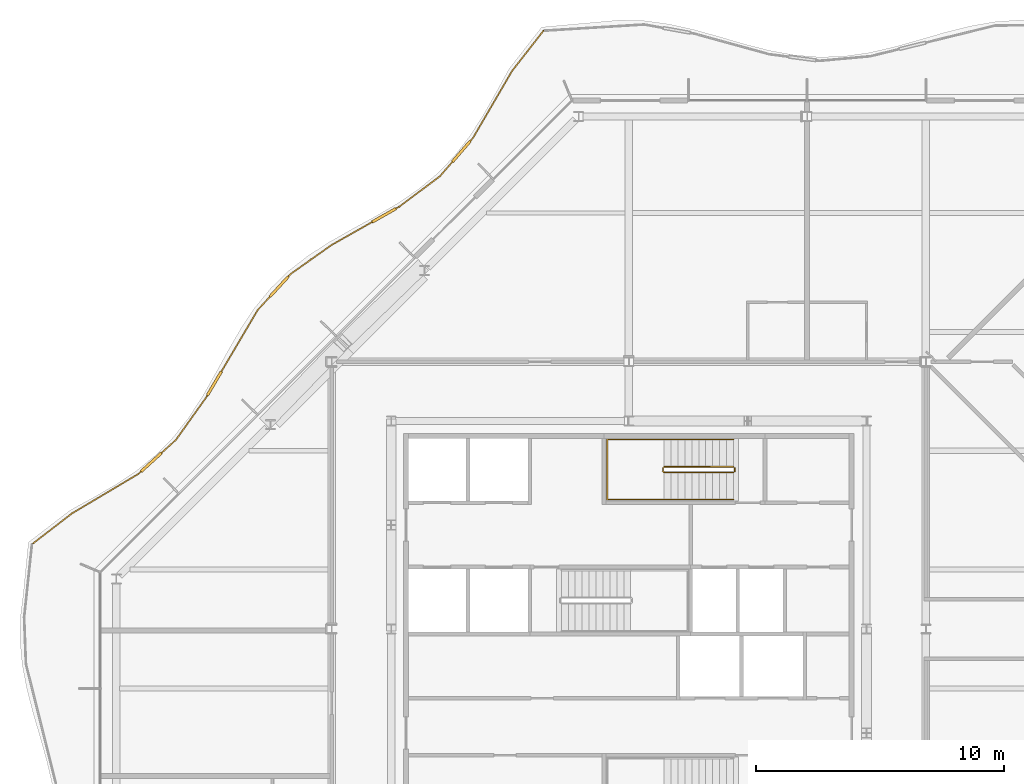
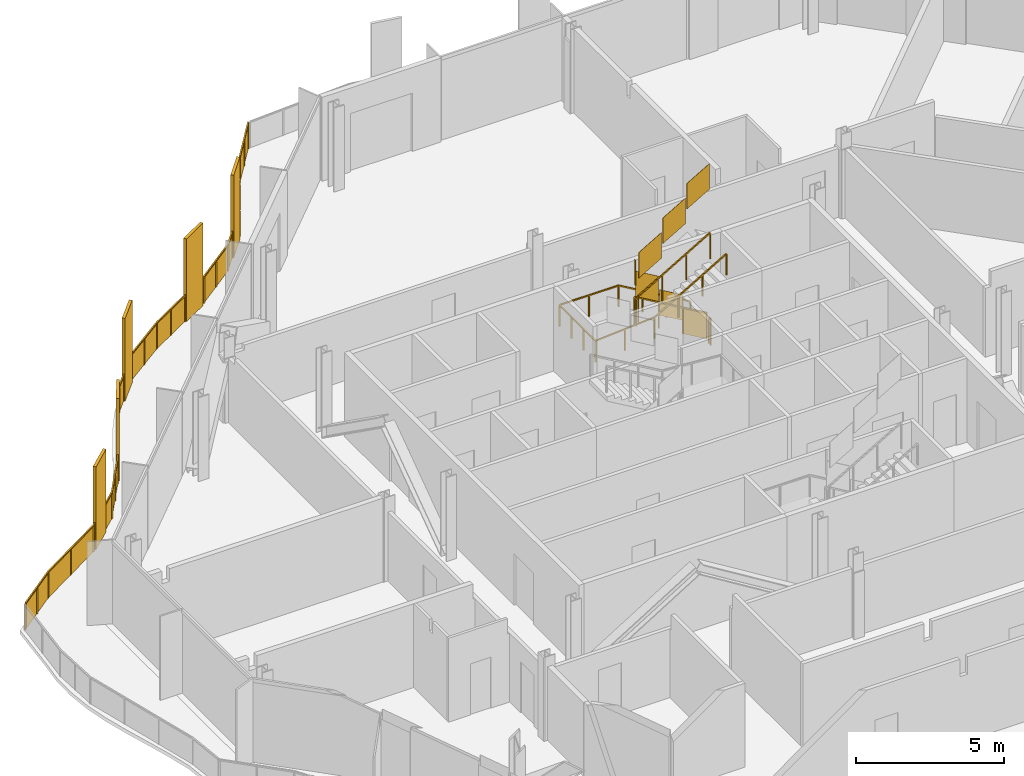
# One storey, part 16 of 17: 4 railings.
"""IFC4 building model written with IfcOpenShell, lengths in metres."""

from ifc_helpers import new_model, si_unit, direction, frame, origin, origin_2d, place, context, subcontext, project, spatial, polyline, rectangle, outline, extrude, material, type_object, element, save


model = new_model("IFC4")

# Units and contexts
model_context = context("Model", 3, precision=1e-05, world=origin(), true_north=direction((0.0, 1.0)))
body_context = subcontext(model_context, "Body", "Model", "MODEL_VIEW")
ifc_project = project(units=[si_unit("LENGTHUNIT", "METRE"), si_unit("AREAUNIT", "SQUARE_METRE"), si_unit("VOLUMEUNIT", "CUBIC_METRE"), si_unit("PLANEANGLEUNIT", "RADIAN"), si_unit("MASSUNIT", "GRAM", prefix="KILO")], contexts=[model_context])

# Site, building, storey
site_placement = place(None, origin())
site = spatial("IfcSite", under=ifc_project, at=site_placement, CompositionType="ELEMENT")
building_placement = place(site_placement, origin())
building = spatial("IfcBuilding", under=site, at=building_placement, Name="Cairn Pilgrim Tower", CompositionType="ELEMENT")
storey_placement = place(building_placement, frame((0.0, 0.0, 250.199951171875)))
storey = spatial("IfcBuildingStorey", under=building, at=storey_placement, Name="L64", CompositionType="ELEMENT", Elevation=250.199951171875)

# Railings
ifc_material_1 = material(Name="Bronze anodised aluminium rail, posts and fin screens with laminated glass infill", Category="aluminium")
railing_type_1 = type_object("IfcRailingType", Name="BALCONY GUARD WITH FIN SCREENS", PredefinedType="GUARDRAIL", material=ifc_material_1)
railing_1_placement = place(storey_placement, frame((3.7529296875, 26.5673828125, 0.0)))
element("IfcRailing", 1, at=railing_1_placement, inside=storey, type_object=railing_type_1, Name="Balcony guard BGF-5 with fin screens", PredefinedType="GUARDRAIL", context=body_context, shape_type="SweptSolid", body=[
    extrude(rectangle(XDim=0.050048828125, YDim=0.050048828125, at=origin_2d()), frame((0.0, 0.0, 1.0751953125), z_axis=(-0.615247590899, -0.788333940594, 0.0), x_axis=(0.788333940594, -0.615247590899, 0.0)), (0.0, 0.0, 1.0), 2.06787109375),
    extrude(rectangle(XDim=0.050048828125, YDim=0.050048828125, at=origin_2d()), frame((-1.272216796875, -1.630126953125, 1.0751953125), z_axis=(-0.503754385339, -0.863846930452, 0.0), x_axis=(0.863846930452, -0.503754385339, 0.0)), (0.0, 0.0, 1.0), 3.12353515625),
    extrude(rectangle(XDim=1.10009765625, YDim=0.110107421875, at=origin_2d()), frame((-3.319091796875, -4.877685546875, 0.0), z_axis=(0.0, 0.0, 1.0), x_axis=(-0.652871199142, -0.757468941496, 0.0)), (0.0, 0.0, 1.0), 3.39990234375),
    extrude(rectangle(XDim=0.050048828125, YDim=0.050048828125, at=origin_2d()), frame((-2.845703125, -4.328369140625, 1.0751953125), z_axis=(-0.652871199142, -0.757468941496, 0.0), x_axis=(0.757468941496, -0.652871199142, 0.0)), (0.0, 0.0, 1.0), 0.175048828125),
    extrude(rectangle(XDim=0.050048828125, YDim=0.050048828125, at=origin_2d()), frame((-3.67822265625, -5.294189453125, 1.0751953125), z_axis=(-0.652871199142, -0.757468941496, 0.0), x_axis=(0.757468941496, -0.652871199142, 0.0)), (0.0, 0.0, 1.0), 0.771728515625),
    extrude(rectangle(XDim=0.050048828125, YDim=0.050048828125, at=origin_2d()), frame((-4.18212890625, -5.87890625, 1.0751953125), z_axis=(-0.801009467995, -0.598651678509, 0.0), x_axis=(0.598651678509, -0.801009467995, 0.0)), (0.0, 0.0, 1.0), 2.058349609375),
    extrude(rectangle(XDim=1.10009765625, YDim=0.110107421875, at=origin_2d()), frame((-6.43994140625, -7.455810546875, 0.0), z_axis=(0.0, 0.0, 1.0), x_axis=(-0.870288371467, -0.492542536731, 0.0)), (0.0, 0.0, 1.0), 3.39990234375),
    extrude(rectangle(XDim=0.050048828125, YDim=0.050048828125, at=origin_2d()), frame((-5.830810546875, -7.111083984375, 1.0751953125), z_axis=(-0.870288371467, -0.492542536731, 0.0), x_axis=(0.492542536731, -0.870288371467, 0.0)), (0.0, 0.0, 1.0), 0.14990234375),
    extrude(rectangle(XDim=0.050048828125, YDim=0.050048828125, at=origin_2d()), frame((-6.918701171875, -7.726806640625, 1.0751953125), z_axis=(-0.870288371467, -0.492542536731, 0.0), x_axis=(0.492542536731, -0.870288371467, 0.0)), (0.0, 0.0, 1.0), 1.882568359375),
    extrude(rectangle(XDim=0.050048828125, YDim=0.050048828125, at=origin_2d()), frame((-8.55712890625, -8.654052734375, 1.0751953125), z_axis=(-0.816212373943, -0.577751988852, 0.0), x_axis=(0.577751988852, -0.816212373943, 0.0)), (0.0, 0.0, 1.0), 2.016845703125),
    extrude(rectangle(XDim=1.10009765625, YDim=0.110107421875, at=origin_2d()), frame((-10.676513671875, -10.335205078125, 0.0), z_axis=(0.0, 0.0, 1.0), x_axis=(-0.675825052725, -0.737062072087, 0.0)), (0.0, 0.0, 1.0), 3.39990234375),
    extrude(rectangle(XDim=0.050048828125, YDim=0.050048828125, at=origin_2d()), frame((-10.203369140625, -9.8193359375, 1.0751953125), z_axis=(-0.675825052725, -0.737062072087, 0.0), x_axis=(0.737062072087, -0.675825052725, 0.0)), (0.0, 0.0, 1.0), 0.150146484375),
    extrude(rectangle(XDim=0.050048828125, YDim=0.050048828125, at=origin_2d()), frame((-11.048095703125, -10.74072265625, 1.0751953125), z_axis=(-0.675825052725, -0.737062072087, 0.0), x_axis=(0.737062072087, -0.675825052725, 0.0)), (0.0, 0.0, 1.0), 0.7314453125),
    extrude(rectangle(XDim=1.10009765625, YDim=0.110107421875, at=origin_2d()), frame((-13.293701171875, -14.24609375, 0.0), z_axis=(0.0, 0.0, 1.0), x_axis=(-0.508401829525, -0.861119956647, 0.0)), (0.0, 0.0, 1.0), 3.39990234375),
    extrude(rectangle(XDim=0.050048828125, YDim=0.050048828125, at=origin_2d()), frame((-11.54248046875, -11.27978515625, 1.0751953125), z_axis=(-0.508401829525, -0.861119956647, 0.0), x_axis=(0.861119956647, -0.508401829525, 0.0)), (0.0, 0.0, 1.0), 2.894775390625),
    extrude(rectangle(XDim=0.050048828125, YDim=0.050048828125, at=origin_2d()), frame((-13.573486328125, -14.7197265625, 1.0751953125), z_axis=(-0.508401829525, -0.861119956647, 0.0), x_axis=(0.861119956647, -0.508401829525, 0.0)), (0.0, 0.0, 1.0), 0.14990234375),
    extrude(rectangle(XDim=0.050048828125, YDim=0.050048828125, at=origin_2d()), frame((-13.649658203125, -14.848876953125, 1.0751953125), z_axis=(-0.581058957982, -0.813861466927, 0.0), x_axis=(0.813861466927, -0.581058957982, 0.0)), (0.0, 0.0, 1.0), 2.061767578125),
    extrude(rectangle(XDim=1.10009765625, YDim=0.110107421875, at=origin_2d()), frame((-15.843505859375, -17.430908203125, 0.0), z_axis=(0.0, 0.0, 1.0), x_axis=(-0.740372121934, -0.672197233751, 0.0)), (0.0, 0.0, 1.0), 3.39990234375),
    extrude(rectangle(XDim=0.050048828125, YDim=0.050048828125, at=origin_2d()), frame((-14.84765625, -16.52685546875, 1.0751953125), z_axis=(-0.740372121934, -0.672197233751, 0.0), x_axis=(0.672197233751, -0.740372121934, 0.0)), (0.0, 0.0, 1.0), 0.794921875),
    extrude(rectangle(XDim=0.050048828125, YDim=0.050048828125, at=origin_2d()), frame((-16.25048828125, -17.800537109375, 1.0751953125), z_axis=(-0.740372121934, -0.672197233751, 0.0), x_axis=(0.672197233751, -0.740372121934, 0.0)), (0.0, 0.0, 1.0), 0.14990234375),
    extrude(rectangle(XDim=0.050048828125, YDim=0.050048828125, at=origin_2d()), frame((-16.361572265625, -17.9013671875, 1.0751953125), z_axis=(-0.859455025905, -0.511211363769, 0.0), x_axis=(0.511211363769, -0.859455025905, 0.0)), (0.0, 0.0, 1.0), 3.119140625),
    extrude(rectangle(XDim=0.050048828125, YDim=0.050048828125, at=origin_2d()), frame((-19.042236328125, -19.495849609375, 1.0751953125), z_axis=(-0.792386852643, -0.610018914262, 0.0), x_axis=(0.610018914262, -0.792386852643, 0.0)), (0.0, 0.0, 1.0), 1.99072265625),
    extrude(rectangle(XDim=0.050048828125, YDim=0.050048828125, at=origin_2d()), origin(), (0.0, 0.0, 1.0), 1.050048828125),
    extrude(rectangle(XDim=0.050048828125, YDim=0.050048828125, at=origin_2d()), frame((-0.63623046875, -0.815185546875, 0.0)), (0.0, 0.0, 1.0), 1.050048828125),
    extrude(rectangle(XDim=0.050048828125, YDim=0.050048828125, at=origin_2d()), frame((-1.272216796875, -1.630126953125, 0.0)), (0.0, 0.0, 1.0), 1.050048828125),
    extrude(rectangle(XDim=0.050048828125, YDim=0.050048828125, at=origin_2d()), frame((-2.05908203125, -2.979248046875, 0.0)), (0.0, 0.0, 1.0), 1.050048828125),
    extrude(rectangle(XDim=0.050048828125, YDim=0.050048828125, at=origin_2d()), frame((-2.845703125, -4.328369140625, 0.0)), (0.0, 0.0, 1.0), 1.050048828125),
    extrude(rectangle(XDim=0.050048828125, YDim=0.050048828125, at=origin_2d()), frame((-2.94384765625, -4.442138671875, 0.0)), (0.0, 0.0, 1.0), 1.050048828125),
    extrude(rectangle(XDim=0.050048828125, YDim=0.050048828125, at=origin_2d()), frame((-3.694580078125, -5.313232421875, 0.0)), (0.0, 0.0, 1.0), 1.050048828125),
    extrude(rectangle(XDim=0.050048828125, YDim=0.050048828125, at=origin_2d()), frame((-4.18212890625, -5.87890625, 0.0)), (0.0, 0.0, 1.0), 1.050048828125),
    extrude(rectangle(XDim=0.050048828125, YDim=0.050048828125, at=origin_2d()), frame((-5.00634765625, -6.4951171875, 0.0)), (0.0, 0.0, 1.0), 1.050048828125),
    extrude(rectangle(XDim=0.050048828125, YDim=0.050048828125, at=origin_2d()), frame((-5.830810546875, -7.111083984375, 0.0)), (0.0, 0.0, 1.0), 1.050048828125),
    extrude(rectangle(XDim=0.050048828125, YDim=0.050048828125, at=origin_2d()), frame((-5.939697265625, -7.172607421875, 0.0)), (0.0, 0.0, 1.0), 1.050048828125),
    extrude(rectangle(XDim=0.050048828125, YDim=0.050048828125, at=origin_2d()), frame((-6.9404296875, -7.739013671875, 0.0)), (0.0, 0.0, 1.0), 1.050048828125),
    extrude(rectangle(XDim=0.050048828125, YDim=0.050048828125, at=origin_2d()), frame((-7.748779296875, -8.196533203125, 0.0)), (0.0, 0.0, 1.0), 1.050048828125),
    extrude(rectangle(XDim=0.050048828125, YDim=0.050048828125, at=origin_2d()), frame((-8.55712890625, -8.654052734375, 0.0)), (0.0, 0.0, 1.0), 1.050048828125),
    extrude(rectangle(XDim=0.050048828125, YDim=0.050048828125, at=origin_2d()), frame((-9.38037109375, -9.23681640625, 0.0)), (0.0, 0.0, 1.0), 1.050048828125),
    extrude(rectangle(XDim=0.050048828125, YDim=0.050048828125, at=origin_2d()), frame((-10.203369140625, -9.8193359375, 0.0)), (0.0, 0.0, 1.0), 1.050048828125),
    extrude(rectangle(XDim=0.050048828125, YDim=0.050048828125, at=origin_2d()), frame((-10.287841796875, -9.911376953125, 0.0)), (0.0, 0.0, 1.0), 1.050048828125),
    extrude(rectangle(XDim=0.050048828125, YDim=0.050048828125, at=origin_2d()), frame((-11.065185546875, -10.759033203125, 0.0)), (0.0, 0.0, 1.0), 1.050048828125),
    extrude(rectangle(XDim=0.050048828125, YDim=0.050048828125, at=origin_2d()), frame((-11.54248046875, -11.27978515625, 0.0)), (0.0, 0.0, 1.0), 1.050048828125),
    extrude(rectangle(XDim=0.050048828125, YDim=0.050048828125, at=origin_2d()), frame((-12.27197265625, -12.515380859375, 0.0)), (0.0, 0.0, 1.0), 1.050048828125),
    extrude(rectangle(XDim=0.050048828125, YDim=0.050048828125, at=origin_2d()), frame((-13.00146484375, -13.7509765625, 0.0)), (0.0, 0.0, 1.0), 1.050048828125),
    extrude(rectangle(XDim=0.050048828125, YDim=0.050048828125, at=origin_2d()), frame((-13.586181640625, -14.7412109375, 0.0)), (0.0, 0.0, 1.0), 1.050048828125),
    extrude(rectangle(XDim=0.050048828125, YDim=0.050048828125, at=origin_2d()), frame((-13.649658203125, -14.848876953125, 0.0)), (0.0, 0.0, 1.0), 1.050048828125),
    extrude(rectangle(XDim=0.050048828125, YDim=0.050048828125, at=origin_2d()), frame((-14.24853515625, -15.68798828125, 0.0)), (0.0, 0.0, 1.0), 1.050048828125),
    extrude(rectangle(XDim=0.050048828125, YDim=0.050048828125, at=origin_2d()), frame((-14.84765625, -16.52685546875, 0.0)), (0.0, 0.0, 1.0), 1.050048828125),
    extrude(rectangle(XDim=0.050048828125, YDim=0.050048828125, at=origin_2d()), frame((-15.417724609375, -17.04443359375, 0.0)), (0.0, 0.0, 1.0), 1.050048828125),
    extrude(rectangle(XDim=0.050048828125, YDim=0.050048828125, at=origin_2d()), frame((-16.26904296875, -17.8173828125, 0.0)), (0.0, 0.0, 1.0), 1.050048828125),
    extrude(rectangle(XDim=0.050048828125, YDim=0.050048828125, at=origin_2d()), frame((-16.361572265625, -17.9013671875, 0.0)), (0.0, 0.0, 1.0), 1.050048828125),
    extrude(rectangle(XDim=0.050048828125, YDim=0.050048828125, at=origin_2d()), frame((-17.701904296875, -18.69873046875, 0.0)), (0.0, 0.0, 1.0), 1.050048828125),
    extrude(rectangle(XDim=0.050048828125, YDim=0.050048828125, at=origin_2d()), frame((-19.042236328125, -19.495849609375, 0.0)), (0.0, 0.0, 1.0), 1.050048828125),
    extrude(rectangle(XDim=0.050048828125, YDim=0.050048828125, at=origin_2d()), frame((-19.8310546875, -20.10302734375, 0.0)), (0.0, 0.0, 1.0), 1.050048828125),
    extrude(rectangle(XDim=0.050048828125, YDim=0.050048828125, at=origin_2d()), frame((-20.61962890625, -20.710205078125, 0.0)), (0.0, 0.0, 1.0), 1.050048828125),
    extrude(outline(polyline([(0.02490234375, 0.0), (1.0087890625, 0.0), (1.0087890625, 1.050048828125), (0.02490234375, 1.050048828125), (0.02490234375, 0.0)])), frame((0.004638671875, -0.003662109375, 0.0), z_axis=(-0.788333940594, 0.615247590899, 0.0), x_axis=(-0.615247590899, -0.788333940594, 0.0)), (0.0, 0.0, 1.0), 0.011962890625),
    extrude(outline(polyline([(0.02490234375, 0.0), (1.0087890625, 0.0), (1.0087890625, 1.050048828125), (0.02490234375, 1.050048828125), (0.02490234375, 0.0)])), frame((-0.63134765625, -0.81884765625, 0.0), z_axis=(-0.788333940594, 0.615247590899, 0.0), x_axis=(-0.615247590899, -0.788333940594, 0.0)), (0.0, 0.0, 1.0), 0.011962890625),
    extrude(outline(polyline([(0.02490234375, 0.0), (1.53662109375, 0.0), (1.53662109375, 1.050048828125), (0.02490234375, 1.050048828125), (0.02490234375, 0.0)])), frame((-1.26708984375, -1.633056640625, 0.0), z_axis=(-0.863846930452, 0.503754385339, 0.0), x_axis=(-0.503754385339, -0.863846930452, 0.0)), (0.0, 0.0, 1.0), 0.011962890625),
    extrude(outline(polyline([(0.02490234375, 0.0), (1.53662109375, 0.0), (1.53662109375, 1.050048828125), (0.02490234375, 1.050048828125), (0.02490234375, 0.0)])), frame((-2.0537109375, -2.982177734375, 0.0), z_axis=(-0.863846930452, 0.503754385339, 0.0), x_axis=(-0.503754385339, -0.863846930452, 0.0)), (0.0, 0.0, 1.0), 0.011962890625),
    extrude(outline(polyline([(0.02490234375, 0.0), (0.125, 0.0), (0.125, 1.050048828125), (0.02490234375, 1.050048828125), (0.02490234375, 0.0)])), frame((-2.841064453125, -4.332275390625, 0.0), z_axis=(-0.757468941496, 0.652871199142, 0.0), x_axis=(-0.652871199142, -0.757468941496, 0.0)), (0.0, 0.0, 1.0), 0.011962890625),
    extrude(outline(polyline([(0.02490234375, 0.0), (0.7216796875, 0.0), (0.7216796875, 1.050048828125), (0.02490234375, 1.050048828125), (0.02490234375, 0.0)])), frame((-3.68994140625, -5.317138671875, 0.0), z_axis=(-0.757468941496, 0.652871199142, 0.0), x_axis=(-0.652871199142, -0.757468941496, 0.0)), (0.0, 0.0, 1.0), 0.011962890625),
    extrude(outline(polyline([(0.02490234375, 0.0), (1.004150390625, 0.0), (1.004150390625, 1.050048828125), (0.02490234375, 1.050048828125), (0.02490234375, 0.0)])), frame((-4.178466796875, -5.8837890625, 0.0), z_axis=(-0.598651678509, 0.801009467995, 0.0), x_axis=(-0.801009467995, -0.598651678509, 0.0)), (0.0, 0.0, 1.0), 0.011962890625),
    extrude(outline(polyline([(0.02490234375, 0.0), (1.004150390625, 0.0), (1.004150390625, 1.050048828125), (0.02490234375, 1.050048828125), (0.02490234375, 0.0)])), frame((-5.0029296875, -6.499755859375, 0.0), z_axis=(-0.598651678509, 0.801009467995, 0.0), x_axis=(-0.801009467995, -0.598651678509, 0.0)), (0.0, 0.0, 1.0), 0.011962890625),
    extrude(outline(polyline([(0.02490234375, 0.0), (0.099853515625, 0.0), (0.099853515625, 1.050048828125), (0.02490234375, 1.050048828125), (0.02490234375, 0.0)])), frame((-5.827880859375, -7.1162109375, 0.0), z_axis=(-0.492542536731, 0.870288371467, 0.0), x_axis=(-0.870288371467, -0.492542536731, 0.0)), (0.0, 0.0, 1.0), 0.011962890625),
    extrude(outline(polyline([(0.02490234375, 0.0), (0.90380859375, 0.0), (0.90380859375, 1.050048828125), (0.02490234375, 1.050048828125), (0.02490234375, 0.0)])), frame((-6.9375, -7.744384765625, 0.0), z_axis=(-0.492542536731, 0.870288371467, 0.0), x_axis=(-0.870288371467, -0.492542536731, 0.0)), (0.0, 0.0, 1.0), 0.011962890625),
    extrude(outline(polyline([(0.02490234375, 0.0), (0.90380859375, 0.0), (0.90380859375, 1.050048828125), (0.02490234375, 1.050048828125), (0.02490234375, 0.0)])), frame((-7.745849609375, -8.20166015625, 0.0), z_axis=(-0.492542536731, 0.870288371467, 0.0), x_axis=(-0.870288371467, -0.492542536731, 0.0)), (0.0, 0.0, 1.0), 0.011962890625),
    extrude(outline(polyline([(0.02490234375, 0.0), (0.9833984375, 0.0), (0.9833984375, 1.050048828125), (0.02490234375, 1.050048828125), (0.02490234375, 0.0)])), frame((-8.5537109375, -8.658935546875, 0.0), z_axis=(-0.577751988852, 0.816212373943, 0.0), x_axis=(-0.816212373943, -0.577751988852, 0.0)), (0.0, 0.0, 1.0), 0.011962890625),
    extrude(outline(polyline([(0.02490234375, 0.0), (0.9833984375, 0.0), (0.9833984375, 1.050048828125), (0.02490234375, 1.050048828125), (0.02490234375, 0.0)])), frame((-9.376708984375, -9.241455078125, 0.0), z_axis=(-0.577751988852, 0.816212373943, 0.0), x_axis=(-0.816212373943, -0.577751988852, 0.0)), (0.0, 0.0, 1.0), 0.011962890625),
    extrude(outline(polyline([(0.02490234375, 0.0), (0.10009765625, 0.0), (0.10009765625, 1.050048828125), (0.02490234375, 1.050048828125), (0.02490234375, 0.0)])), frame((-10.198974609375, -9.823486328125, 0.0), z_axis=(-0.737062072087, 0.675825052725, 0.0), x_axis=(-0.675825052725, -0.737062072087, 0.0)), (0.0, 0.0, 1.0), 0.011962890625),
    extrude(outline(polyline([(0.02490234375, 0.0), (0.681396484375, 0.0), (0.681396484375, 1.050048828125), (0.02490234375, 1.050048828125), (0.02490234375, 0.0)])), frame((-11.060791015625, -10.76318359375, 0.0), z_axis=(-0.737062072087, 0.675825052725, 0.0), x_axis=(-0.675825052725, -0.737062072087, 0.0)), (0.0, 0.0, 1.0), 0.011962890625),
    extrude(outline(polyline([(0.02490234375, 0.0), (1.409912109375, 0.0), (1.409912109375, 1.050048828125), (0.02490234375, 1.050048828125), (0.02490234375, 0.0)])), frame((-11.537353515625, -11.28271484375, 0.0), z_axis=(-0.861119956647, 0.508401829525, 0.0), x_axis=(-0.508401829525, -0.861119956647, 0.0)), (0.0, 0.0, 1.0), 0.011962890625),
    extrude(outline(polyline([(0.02490234375, 0.0), (1.409912109375, 0.0), (1.409912109375, 1.050048828125), (0.02490234375, 1.050048828125), (0.02490234375, 0.0)])), frame((-12.266845703125, -12.518310546875, 0.0), z_axis=(-0.861119956647, 0.508401829525, 0.0), x_axis=(-0.508401829525, -0.861119956647, 0.0)), (0.0, 0.0, 1.0), 0.011962890625),
    extrude(outline(polyline([(0.02490234375, 0.0), (0.099853515625, 0.0), (0.099853515625, 1.050048828125), (0.02490234375, 1.050048828125), (0.02490234375, 0.0)])), frame((-13.5810546875, -14.744384765625, 0.0), z_axis=(-0.861119956647, 0.508401829525, 0.0), x_axis=(-0.508401829525, -0.861119956647, 0.0)), (0.0, 0.0, 1.0), 0.011962890625),
    extrude(outline(polyline([(0.02490234375, 0.0), (1.005859375, 0.0), (1.005859375, 1.050048828125), (0.02490234375, 1.050048828125), (0.02490234375, 0.0)])), frame((-13.644775390625, -14.852294921875, 0.0), z_axis=(-0.813861466927, 0.581058957982, 0.0), x_axis=(-0.581058957982, -0.813861466927, 0.0)), (0.0, 0.0, 1.0), 0.011962890625),
    extrude(outline(polyline([(0.02490234375, 0.0), (1.005859375, 0.0), (1.005859375, 1.050048828125), (0.02490234375, 1.050048828125), (0.02490234375, 0.0)])), frame((-14.243896484375, -15.69140625, 0.0), z_axis=(-0.813861466927, 0.581058957982, 0.0), x_axis=(-0.581058957982, -0.813861466927, 0.0)), (0.0, 0.0, 1.0), 0.011962890625),
    extrude(outline(polyline([(0.02490234375, 0.0), (0.744873046875, 0.0), (0.744873046875, 1.050048828125), (0.02490234375, 1.050048828125), (0.02490234375, 0.0)])), frame((-14.84375, -16.53125, 0.0), z_axis=(-0.672197233751, 0.740372121934, 0.0), x_axis=(-0.740372121934, -0.672197233751, 0.0)), (0.0, 0.0, 1.0), 0.011962890625),
    extrude(outline(polyline([(0.02490234375, 0.0), (0.099853515625, 0.0), (0.099853515625, 1.050048828125), (0.02490234375, 1.050048828125), (0.02490234375, 0.0)])), frame((-16.26513671875, -17.82177734375, 0.0), z_axis=(-0.672197233751, 0.740372121934, 0.0), x_axis=(-0.740372121934, -0.672197233751, 0.0)), (0.0, 0.0, 1.0), 0.011962890625),
    extrude(outline(polyline([(0.02490234375, 0.0), (1.534423828125, 0.0), (1.534423828125, 1.050048828125), (0.02490234375, 1.050048828125), (0.02490234375, 0.0)])), frame((-16.3583984375, -17.906494140625, 0.0), z_axis=(-0.511211363769, 0.859455025905, 0.0), x_axis=(-0.859455025905, -0.511211363769, 0.0)), (0.0, 0.0, 1.0), 0.011962890625),
    extrude(outline(polyline([(0.02490234375, 0.0), (1.534423828125, 0.0), (1.534423828125, 1.050048828125), (0.02490234375, 1.050048828125), (0.02490234375, 0.0)])), frame((-17.69873046875, -18.703857421875, 0.0), z_axis=(-0.511211363769, 0.859455025905, 0.0), x_axis=(-0.859455025905, -0.511211363769, 0.0)), (0.0, 0.0, 1.0), 0.011962890625),
    extrude(outline(polyline([(0.02490234375, 0.0), (0.97021484375, 0.0), (0.97021484375, 1.050048828125), (0.02490234375, 1.050048828125), (0.02490234375, 0.0)])), frame((-19.03857421875, -19.50048828125, 0.0), z_axis=(-0.610018914262, 0.792386852643, 0.0), x_axis=(-0.792386852643, -0.610018914262, 0.0)), (0.0, 0.0, 1.0), 0.011962890625),
    extrude(outline(polyline([(0.02490234375, 0.0), (0.97021484375, 0.0), (0.97021484375, 1.050048828125), (0.02490234375, 1.050048828125), (0.02490234375, 0.0)])), frame((-19.827392578125, -20.107666015625, 0.0), z_axis=(-0.610018914262, 0.792386852643, 0.0), x_axis=(-0.792386852643, -0.610018914262, 0.0)), (0.0, 0.0, 1.0), 0.011962890625),
])
ifc_material_2 = material(Name="Painted steel", Category="steel")
railing_type_2 = type_object("IfcRailingType", Name="STAIR GUARD 1100", PredefinedType="GUARDRAIL", material=ifc_material_2)
railing_2_placement = place(storey_placement, frame((11.425048828125, 8.949951171875, 0.16357421875)))
element("IfcRailing", 2, at=railing_2_placement, inside=storey, type_object=railing_type_2, Name="L64 ST-C stair guard 1", PredefinedType="GUARDRAIL", context=body_context, shape_type="SweptSolid", body=[
    extrude(rectangle(XDim=0.048095703125, YDim=0.048095703125, at=origin_2d()), frame((0.0, 0.0, 1.076171875), z_axis=(-0.863360870873, 0.0, 0.504586966384), x_axis=(0.0, -1.0, 0.0)), (0.0, 0.0, 1.0), 3.2431640625),
    extrude(rectangle(XDim=0.048095703125, YDim=0.048095703125, at=origin_2d()), frame((-2.800048828125, 0.0, 2.71240234375), z_axis=(-0.707106781187, -0.707106781187, 0.0), x_axis=(0.707106781187, -0.707106781187, 0.0)), (0.0, 0.0, 1.0), 0.07080078125),
    extrude(rectangle(XDim=0.048095703125, YDim=0.048095703125, at=origin_2d()), frame((-2.85009765625, -0.050048828125, 2.71240234375), z_axis=(0.0, -1.0, 0.0), x_axis=(1.0, 0.0, 0.0)), (0.0, 0.0, 1.0), 0.125),
    extrude(rectangle(XDim=0.048095703125, YDim=0.048095703125, at=origin_2d()), frame((-2.85009765625, -0.175048828125, 2.71240234375), z_axis=(0.280916556609, -0.279546231943, 0.91811752648), x_axis=(0.705375805398, 0.708833529934, 0.0)), (0.0, 0.0, 1.0), 0.17822265625),
    extrude(rectangle(XDim=0.048095703125, YDim=0.048095703125, at=origin_2d()), frame((-2.800048828125, -0.224853515625, 2.8759765625), z_axis=(0.863360870873, 0.0, 0.504586966384), x_axis=(0.0, 1.0, 0.0)), (0.0, 0.0, 1.0), 3.2431640625),
    extrude(rectangle(XDim=0.0419921875, YDim=0.0419921875, at=origin_2d()), origin(), (0.0, 0.0, 1.0), 1.052001953125),
    extrude(rectangle(XDim=0.0419921875, YDim=0.0419921875, at=origin_2d()), frame((-0.933349609375, 0.0, 0.54541015625)), (0.0, 0.0, 1.0), 1.052001953125),
    extrude(rectangle(XDim=0.0419921875, YDim=0.0419921875, at=origin_2d()), frame((-1.86669921875, 0.0, 1.091064453125)), (0.0, 0.0, 1.0), 1.052001953125),
    extrude(rectangle(XDim=0.0419921875, YDim=0.0419921875, at=origin_2d()), frame((-2.800048828125, 0.0, 1.636474609375)), (0.0, 0.0, 1.0), 1.052001953125),
    extrude(rectangle(XDim=0.0419921875, YDim=0.0419921875, at=origin_2d()), frame((-2.85009765625, -0.050048828125, 1.636474609375)), (0.0, 0.0, 1.0), 1.052001953125),
    extrude(rectangle(XDim=0.0419921875, YDim=0.0419921875, at=origin_2d()), frame((-2.85009765625, -0.175048828125, 1.636474609375)), (0.0, 0.0, 1.0), 1.052001953125),
    extrude(rectangle(XDim=0.0419921875, YDim=0.0419921875, at=origin_2d()), frame((-2.800048828125, -0.224853515625, 1.800048828125)), (0.0, 0.0, 1.0), 1.052001953125),
    extrude(rectangle(XDim=0.0419921875, YDim=0.0419921875, at=origin_2d()), frame((-1.86669921875, -0.224853515625, 2.345458984375)), (0.0, 0.0, 1.0), 1.052001953125),
    extrude(rectangle(XDim=0.0419921875, YDim=0.0419921875, at=origin_2d()), frame((-0.933349609375, -0.224853515625, 2.89111328125)), (0.0, 0.0, 1.0), 1.052001953125),
    extrude(rectangle(XDim=0.0419921875, YDim=0.0419921875, at=origin_2d()), frame((0.0, -0.224853515625, 3.4365234375)), (0.0, 0.0, 1.0), 1.052001953125),
    extrude(outline(polyline([(0.02099609375, 0.01220703125), (0.912353515625, 0.533203125), (0.912353515625, 1.585205078125), (0.02099609375, 1.064208984375), (0.02099609375, 0.01220703125)])), frame((0.0, -0.005859375, 0.0), z_axis=(0.0, 1.0, 0.0), x_axis=(-1.0, 0.0, 0.0)), (0.0, 0.0, 1.0), 0.011962890625),
    extrude(outline(polyline([(0.02099609375, 0.557861328125), (0.912353515625, 1.07861328125), (0.912353515625, 2.130615234375), (0.02099609375, 1.60986328125), (0.02099609375, 0.557861328125)])), frame((-0.933349609375, -0.005859375, 0.54541015625), z_axis=(0.0, 1.0, 0.0), x_axis=(-1.0, 0.0, 0.0)), (0.0, 0.0, 1.0), 0.011962890625),
    extrude(outline(polyline([(0.02099609375, 1.103271484375), (0.912353515625, 1.624267578125), (0.912353515625, 2.67626953125), (0.02099609375, 2.1552734375), (0.02099609375, 1.103271484375)])), frame((-1.86669921875, -0.005859375, 1.091064453125), z_axis=(0.0, 1.0, 0.0), x_axis=(-1.0, 0.0, 0.0)), (0.0, 0.0, 1.0), 0.011962890625),
    extrude(outline(polyline([(0.02099609375, 1.636474609375), (0.10400390625, 1.636474609375), (0.10400390625, 2.6884765625), (0.02099609375, 2.6884765625), (0.02099609375, 1.636474609375)])), frame((-2.84423828125, -0.050048828125, 1.636474609375), z_axis=(-1.0, 0.0, 0.0), x_axis=(0.0, -1.0, 0.0)), (0.0, 0.0, 1.0), 0.011962890625),
    extrude(outline(polyline([(0.02099609375, 1.812255859375), (0.912353515625, 2.333251953125), (0.912353515625, 3.38525390625), (0.02099609375, 2.8642578125), (0.02099609375, 1.812255859375)])), frame((-2.800048828125, -0.21875, 1.800048828125), z_axis=(0.0, -1.0, 0.0), x_axis=(1.0, 0.0, 0.0)), (0.0, 0.0, 1.0), 0.011962890625),
    extrude(outline(polyline([(0.02099609375, 2.35791015625), (0.912353515625, 2.878662109375), (0.912353515625, 3.9306640625), (0.02099609375, 3.409912109375), (0.02099609375, 2.35791015625)])), frame((-1.86669921875, -0.21875, 2.345458984375), z_axis=(0.0, -1.0, 0.0), x_axis=(1.0, 0.0, 0.0)), (0.0, 0.0, 1.0), 0.011962890625),
    extrude(outline(polyline([(0.02099609375, 2.9033203125), (0.912353515625, 3.42431640625), (0.912353515625, 4.476318359375), (0.02099609375, 3.955322265625), (0.02099609375, 2.9033203125)])), frame((-0.933349609375, -0.21875, 2.89111328125), z_axis=(0.0, -1.0, 0.0), x_axis=(1.0, 0.0, 0.0)), (0.0, 0.0, 1.0), 0.011962890625),
])
railing_3_placement = place(storey_placement, frame((11.47509765625, 8.89990234375, 0.0)))
element("IfcRailing", 3, at=railing_3_placement, inside=storey, type_object=railing_type_2, Name="L64 ST-C stair guard 2", PredefinedType="GUARDRAIL", context=body_context, shape_type="SweptSolid", body=[
    extrude(rectangle(XDim=0.048095703125, YDim=0.048095703125, at=origin_2d()), frame((0.0, 0.0, 1.076171875), z_axis=(0.0, -1.0, 0.0), x_axis=(1.0, 0.0, 0.0)), (0.0, 0.0, 1.0), 0.125),
    extrude(rectangle(XDim=0.0419921875, YDim=0.0419921875, at=origin_2d()), origin(), (0.0, 0.0, 1.0), 1.052001953125),
    extrude(rectangle(XDim=0.0419921875, YDim=0.0419921875, at=origin_2d()), frame((0.0, -0.125, 0.0)), (0.0, 0.0, 1.0), 1.052001953125),
    extrude(outline(polyline([(0.02099609375, 0.0), (0.10400390625, 0.0), (0.10400390625, 1.052001953125), (0.02099609375, 1.052001953125), (0.02099609375, 0.0)])), frame((0.005859375, 0.0, 0.0), z_axis=(-1.0, 0.0, 0.0), x_axis=(0.0, -1.0, 0.0)), (0.0, 0.0, 1.0), 0.011962890625),
])
railing_type_3 = type_object("IfcRailingType", Name="STAIR HANDRAIL 900", PredefinedType="HANDRAIL", material=ifc_material_2)
railing_4_placement = place(storey_placement, frame((11.425048828125, 10.050048828125, 0.16357421875)))
element("IfcRailing", 4, at=railing_4_placement, inside=storey, type_object=railing_type_3, Name="L64 ST-C stair handrail 1", PredefinedType="HANDRAIL", context=body_context, shape_type="SweptSolid", body=[
    extrude(rectangle(XDim=0.048095703125, YDim=0.048095703125, at=origin_2d()), frame((0.0, 0.0, 0.8759765625), z_axis=(-0.863360870873, 0.0, 0.504586966384), x_axis=(0.0, -1.0, 0.0)), (0.0, 0.0, 1.0), 3.2431640625),
    extrude(rectangle(XDim=0.048095703125, YDim=0.048095703125, at=origin_2d()), frame((-2.800048828125, 0.0, 2.51220703125), z_axis=(-1.0, 0.0, 0.0), x_axis=(0.0, -1.0, 0.0)), (0.0, 0.0, 1.0), 2.300048828125),
    extrude(rectangle(XDim=0.048095703125, YDim=0.048095703125, at=origin_2d()), frame((-5.10009765625, 0.0, 2.51220703125), z_axis=(0.0, -1.0, 0.0), x_axis=(1.0, 0.0, 0.0)), (0.0, 0.0, 1.0), 2.425048828125),
    extrude(rectangle(XDim=0.048095703125, YDim=0.048095703125, at=origin_2d()), frame((-5.10009765625, -2.425048828125, 2.51220703125), z_axis=(0.997480687736, 0.0, 0.070938548008), x_axis=(0.0, 1.0, 0.0)), (0.0, 0.0, 1.0), 2.305908203125),
    extrude(rectangle(XDim=0.048095703125, YDim=0.048095703125, at=origin_2d()), frame((-2.800048828125, -2.425048828125, 2.67578125), z_axis=(0.863360870873, 0.0, 0.504586966384), x_axis=(0.0, 1.0, 0.0)), (0.0, 0.0, 1.0), 3.2431640625),
    extrude(rectangle(XDim=0.0419921875, YDim=0.0419921875, at=origin_2d()), origin(), (0.0, 0.0, 1.0), 0.851806640625),
    extrude(rectangle(XDim=0.0419921875, YDim=0.0419921875, at=origin_2d()), frame((-0.933349609375, 0.0, 0.54541015625)), (0.0, 0.0, 1.0), 0.851806640625),
    extrude(rectangle(XDim=0.0419921875, YDim=0.0419921875, at=origin_2d()), frame((-1.86669921875, 0.0, 1.091064453125)), (0.0, 0.0, 1.0), 0.851806640625),
    extrude(rectangle(XDim=0.0419921875, YDim=0.0419921875, at=origin_2d()), frame((-2.800048828125, 0.0, 1.636474609375)), (0.0, 0.0, 1.0), 0.851806640625),
    extrude(rectangle(XDim=0.0419921875, YDim=0.0419921875, at=origin_2d()), frame((-3.9501953125, 0.0, 1.636474609375)), (0.0, 0.0, 1.0), 0.851806640625),
    extrude(rectangle(XDim=0.0419921875, YDim=0.0419921875, at=origin_2d()), frame((-5.10009765625, 0.0, 1.636474609375)), (0.0, 0.0, 1.0), 0.851806640625),
    extrude(rectangle(XDim=0.0419921875, YDim=0.0419921875, at=origin_2d()), frame((-5.10009765625, -0.808349609375, 1.636474609375)), (0.0, 0.0, 1.0), 0.851806640625),
    extrude(rectangle(XDim=0.0419921875, YDim=0.0419921875, at=origin_2d()), frame((-5.10009765625, -1.61669921875, 1.636474609375)), (0.0, 0.0, 1.0), 0.851806640625),
    extrude(rectangle(XDim=0.0419921875, YDim=0.0419921875, at=origin_2d()), frame((-5.10009765625, -2.425048828125, 1.636474609375)), (0.0, 0.0, 1.0), 0.851806640625),
    extrude(rectangle(XDim=0.0419921875, YDim=0.0419921875, at=origin_2d()), frame((-3.9501953125, -2.425048828125, 1.71826171875)), (0.0, 0.0, 1.0), 0.851806640625),
    extrude(rectangle(XDim=0.0419921875, YDim=0.0419921875, at=origin_2d()), frame((-2.800048828125, -2.425048828125, 1.800048828125)), (0.0, 0.0, 1.0), 0.851806640625),
    extrude(rectangle(XDim=0.0419921875, YDim=0.0419921875, at=origin_2d()), frame((-1.86669921875, -2.425048828125, 2.345458984375)), (0.0, 0.0, 1.0), 0.851806640625),
    extrude(rectangle(XDim=0.0419921875, YDim=0.0419921875, at=origin_2d()), frame((-0.933349609375, -2.425048828125, 2.89111328125)), (0.0, 0.0, 1.0), 0.851806640625),
    extrude(rectangle(XDim=0.0419921875, YDim=0.0419921875, at=origin_2d()), frame((0.0, -2.425048828125, 3.4365234375)), (0.0, 0.0, 1.0), 0.851806640625),
])

save(model, "model.ifc")
